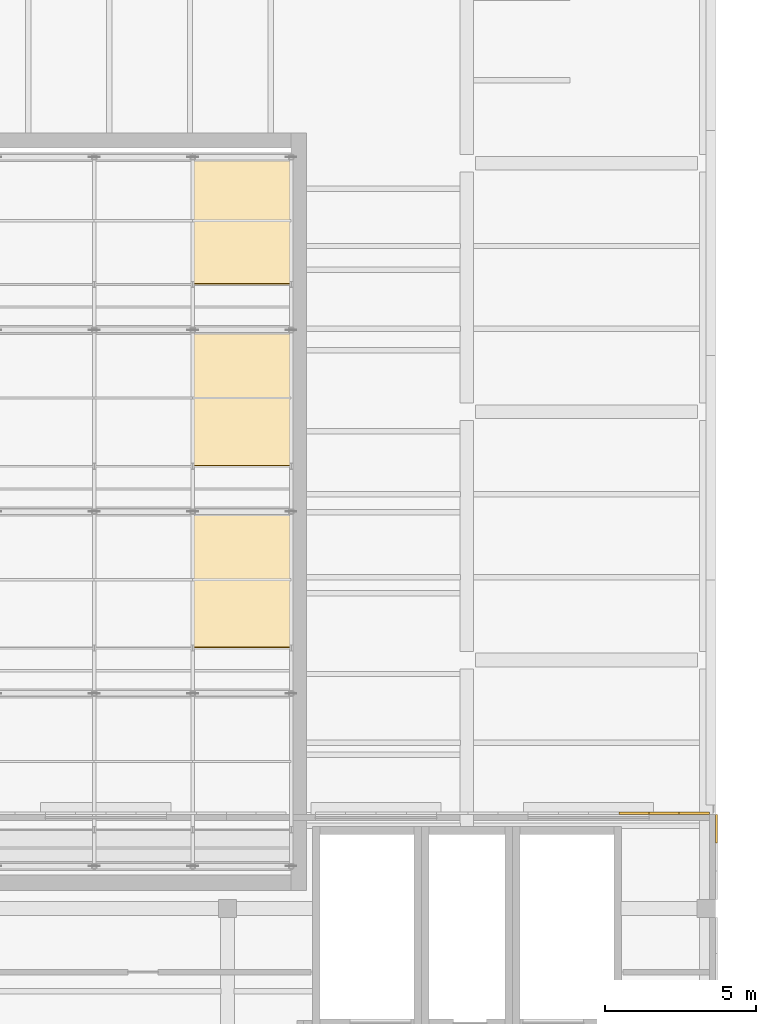
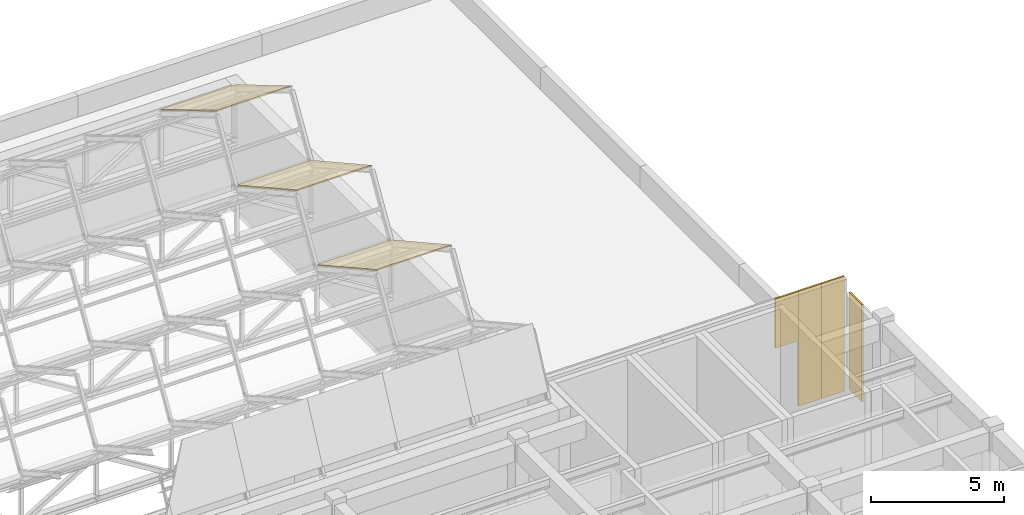
# One storey, part 131 of 132: 7 coverings.
"""IFC4 building model written with IfcOpenShell, lengths in metres."""

import ifcopenshell
import ifcopenshell.guid

model = None  # the IFC model being written
_history = None  # IfcOwnerHistory: only IFC2X3 demands one
_inside = {}  # id of a spatial element -> (the spatial element, [elements in it])
_under = {}  # id of a project, library or spatial element -> (it, [spatial elements below it])
_declared = {}  # id of a project -> (the project, [libraries it declares])
_typed = {}  # id of a type object -> (the type object, [elements of that type])
_made_of = {}  # id of a material, layer set ... -> (it, [elements and type objects made of it])


def new_model(schema):
    """Start an empty IFC model of exactly this schema.

    Asked for "IFC4X3", IfcOpenShell would pick the latest addendum, in which some entities
    have other attributes; the version numbers below select the first issue.
    IFC2X3 requires an IfcOwnerHistory on every rooted entity: one is made here for all.
    """
    global model, _history
    if schema == "IFC4X3":
        model = ifcopenshell.file(schema_version=(4, 3, 0, 0))
    else:
        model = ifcopenshell.file(schema=schema)
    _inside.clear()
    _under.clear()
    _declared.clear()
    _typed.clear()
    _made_of.clear()
    _history = None
    if model.schema == "IFC2X3":
        org = make("IfcOrganization", Name="unknown")
        user = make(
            "IfcPersonAndOrganization",
            ThePerson=make("IfcPerson", FamilyName="unknown"),
            TheOrganization=org,
        )
        app = make(
            "IfcApplication",
            ApplicationDeveloper=org,
            Version="unknown",
            ApplicationFullName="unknown",
            ApplicationIdentifier="unknown",
        )
        _history = make(
            "IfcOwnerHistory",
            OwningUser=user,
            OwningApplication=app,
            ChangeAction="ADDED",
            CreationDate=0,
        )
    return model


def make(cls, **values):
    """One entity of the class cls with the attributes given. An attribute that is None is left unset."""
    return model.create_entity(
        cls, **{name: value for name, value in values.items() if value is not None}
    )


def rooted(cls, **values):
    """An entity with a GlobalId (a new one), such as an element, a storey or a relation."""
    return make(cls, GlobalId=ifcopenshell.guid.new(), OwnerHistory=_history, **values)


def si_unit(unit_type, name, prefix=None):
    """IfcSIUnit, for example si_unit("LENGTHUNIT", "METRE", prefix="MILLI")."""
    return make("IfcSIUnit", UnitType=unit_type, Prefix=prefix, Name=name)


def assignment(units):
    """IfcUnitAssignment: the units of a project."""
    return None if units is None else make("IfcUnitAssignment", Units=units)


def point(xyz):
    """IfcCartesianPoint."""
    return None if xyz is None else make("IfcCartesianPoint", Coordinates=xyz)


def direction(xyz):
    """IfcDirection."""
    return None if xyz is None else make("IfcDirection", DirectionRatios=xyz)


def frame(location, z_axis=None, x_axis=None):
    """IfcAxis2Placement3D, a coordinate frame: its origin and axes. An axis left out is left unset."""
    return make(
        "IfcAxis2Placement3D",
        Location=point(location),
        Axis=direction(z_axis),
        RefDirection=direction(x_axis),
    )


def frame_2d(location, x_axis=None):
    """IfcAxis2Placement2D, a coordinate frame in the plane: its origin and x axis."""
    return make(
        "IfcAxis2Placement2D", Location=point(location), RefDirection=direction(x_axis)
    )


def origin():
    """The frame at (0, 0, 0) with its axes left unset."""
    return frame((0.0, 0.0, 0.0))


def origin_2d():
    """The frame at (0, 0) in the plane with its x axis left unset."""
    return frame_2d((0.0, 0.0))


def place(relative_to, where):
    """IfcLocalPlacement: puts the frame where relative to a parent placement (None: the world)."""
    return make(
        "IfcLocalPlacement", PlacementRelTo=relative_to, RelativePlacement=where
    )


def context(
    kind, dimensions, precision=None, world=None, true_north=None, identifier=None
):
    """IfcGeometricRepresentationContext, for example the 3D "Model" context."""
    return make(
        "IfcGeometricRepresentationContext",
        ContextIdentifier=identifier,
        ContextType=kind,
        CoordinateSpaceDimension=dimensions,
        Precision=precision,
        WorldCoordinateSystem=world,
        TrueNorth=true_north,
    )


def subcontext(parent, identifier, kind, view, scale=None):
    """IfcGeometricRepresentationSubContext, for example "Body" below "Model"."""
    return make(
        "IfcGeometricRepresentationSubContext",
        ContextIdentifier=identifier,
        ContextType=kind,
        ParentContext=parent,
        TargetScale=scale,
        TargetView=view,
    )


def project(units=None, contexts=None):
    """IfcProject with its units and contexts."""
    return rooted(
        "IfcProject",
        Name="project",
        RepresentationContexts=contexts,
        UnitsInContext=assignment(units),
    )


def spatial(cls, under=None, at=None, **own):
    """A site, building, storey or space (cls), placed at a placement, below another one or the project."""
    s = rooted(cls, ObjectPlacement=at, **own)
    if under is not None:
        _under.setdefault(under.id(), (under, []))[1].append(s)
    return s


def polyline(points):
    """IfcPolyline through the points."""
    return make("IfcPolyline", Points=[point(p) for p in points])


def profile(cls, at=None, kind="AREA", **sizes):
    """A parametric profile (cls). Its sizes go by their IFC names, for example OverallWidth=200.0."""
    return make(cls, ProfileType=kind, Position=at, **sizes)


def rectangle(**sizes):
    """IfcRectangleProfileDef."""
    return profile("IfcRectangleProfileDef", **sizes)


def outline(outer, holes=None, kind="AREA"):
    """IfcArbitraryClosedProfileDef: a profile drawn as a closed curve; with holes, ...WithVoids."""
    if holes is None:
        return make("IfcArbitraryClosedProfileDef", ProfileType=kind, OuterCurve=outer)
    return make(
        "IfcArbitraryProfileDefWithVoids",
        ProfileType=kind,
        OuterCurve=outer,
        InnerCurves=holes,
    )


def extrude(swept, where, along, depth):
    """IfcExtrudedAreaSolid: the profile swept, set in the frame where, extruded along a direction by depth."""
    return make(
        "IfcExtrudedAreaSolid",
        SweptArea=swept,
        Position=where,
        ExtrudedDirection=direction(along),
        Depth=depth,
    )


def shape(context_of_items, identifier, shape_type, items):
    """IfcShapeRepresentation: the items that make up one representation, for example the "Body"."""
    return make(
        "IfcShapeRepresentation",
        ContextOfItems=context_of_items,
        RepresentationIdentifier=identifier,
        RepresentationType=shape_type,
        Items=items,
    )


def material(Name=None, Category=None):
    """IfcMaterial."""
    return make("IfcMaterial", Name=Name, Category=Category)


def layer(
    of_material, thickness, ventilated=None, Name=None, Category=None, Priority=None
):
    """IfcMaterialLayer: one layer of a wall or slab, of a material (None: an air gap)."""
    return make(
        "IfcMaterialLayer",
        Material=of_material,
        LayerThickness=thickness,
        IsVentilated=ventilated,
        Name=Name,
        Category=Category,
        Priority=Priority,
    )


def layer_set(layers, Name=None):
    """IfcMaterialLayerSet."""
    return make("IfcMaterialLayerSet", MaterialLayers=layers, LayerSetName=Name)


def made_of(thing, what):
    """Note that an element or type object is made of a material, layer set ...; save() writes the relation."""
    if what is not None:
        _made_of.setdefault(what.id(), (what, []))[1].append(thing)
    return thing


def type_object(cls, material=None, **own):
    """A type object (cls), such as IfcWallType, which elements share."""
    return made_of(rooted(cls, **own), material)


def element(
    cls,
    number,
    at=None,
    inside=None,
    cuts=None,
    type_object=None,
    material=None,
    context=None,
    identifier="Body",
    shape_type=None,
    held_by="IfcProductDefinitionShape",
    body=None,
    shapes=None,
    **own,
):
    """One element of the class cls, such as IfcWall. Its Tag is "e" and its number.

    at: its placement. inside: the storey or other place that contains it. cuts: it is an
    opening in that element (IfcRelVoidsElement). A single representation is given by context,
    identifier, shape_type and body (its items); several are given by shapes. held_by: the class
    of the entity that holds the representations. save() writes the other relations.
    """
    e = rooted(cls, Tag="e%d" % number, ObjectPlacement=at, **own)
    if body is not None:
        shapes = [shape(context, identifier, shape_type, body)]
    if shapes is not None:
        e.Representation = make(held_by, Representations=shapes)
    if inside is not None:
        _inside.setdefault(inside.id(), (inside, []))[1].append(e)
    if cuts is not None:
        rooted(
            "IfcRelVoidsElement", RelatingBuildingElement=cuts, RelatedOpeningElement=e
        )
    if type_object is not None:
        _typed.setdefault(type_object.id(), (type_object, []))[1].append(e)
    return made_of(e, material)


def aggregate(whole, parts):
    """IfcRelAggregates: a whole, such as a stair, and the parts it consists of."""
    return rooted("IfcRelAggregates", RelatingObject=whole, RelatedObjects=parts)


def save(model, path):
    """Write the relations noted so far, then the file.

    IfcRelAggregates (storeys below a building ...), IfcRelContainedInSpatialStructure (elements
    in a storey), IfcRelDefinesByType, IfcRelAssociatesMaterial and IfcRelDeclares: one each for
    every whole, place, type object, material and project.
    """
    for whole, parts in _under.values():
        aggregate(whole, parts)
    for where, things in _inside.values():
        rooted(
            "IfcRelContainedInSpatialStructure",
            RelatedElements=things,
            RelatingStructure=where,
        )
    for kind, things in _typed.values():
        rooted("IfcRelDefinesByType", RelatedObjects=things, RelatingType=kind)
    for what, things in _made_of.values():
        rooted("IfcRelAssociatesMaterial", RelatedObjects=things, RelatingMaterial=what)
    for by, libraries in _declared.values():
        rooted("IfcRelDeclares", RelatingContext=by, RelatedDefinitions=libraries)
    model.write(path)


model = new_model("IFC4")

# Units and contexts
model_context = context("Model", 3, precision=1e-05, world=origin(), true_north=direction((0.0, 1.0)))
body_context = subcontext(model_context, "Body", "Model", "MODEL_VIEW")
ifc_project = project(units=[si_unit("LENGTHUNIT", "METRE"), si_unit("AREAUNIT", "SQUARE_METRE"), si_unit("VOLUMEUNIT", "CUBIC_METRE"), si_unit("PLANEANGLEUNIT", "RADIAN"), si_unit("MASSUNIT", "GRAM", prefix="KILO")], contexts=[model_context])

# Site, building, storey
site_placement = place(None, origin())
site = spatial("IfcSite", under=ifc_project, at=site_placement, CompositionType="ELEMENT")
building_placement = place(site_placement, origin())
building = spatial("IfcBuilding", under=site, at=building_placement, Name="Lunette Opera House", CompositionType="ELEMENT")
storey_placement = place(building_placement, frame((0.0, 0.0, 17.0)))
storey = spatial("IfcBuildingStorey", under=building, at=storey_placement, Name="L03", CompositionType="ELEMENT", Elevation=17.0)

# Coverings
ifc_material_1 = material(Name="Dark grey aluminium cassette", Category="aluminium")
ifc_layer_1 = layer(ifc_material_1, 0.080078125)
ifc_layer_set_1 = layer_set([ifc_layer_1], Name="Dark grey aluminium cassette")
covering_type_1 = type_object("IfcCoveringType", Name="DARK METAL CASSETTE 80", PredefinedType="CLADDING", material=ifc_layer_set_1)
for number, where, z_axis, x_axis, name in (
    (1, (183.303955078125, 106.0400390625, 0.0), (0.0, 0.0, 1.0), (-1.0, 0.0, 0.0), "Dark Metal Cassette 80 WK L03"),
    (2, (182.31298828125, 106.0400390625, 0.0), (0.0, 0.0, 1.0), (-1.0, 0.0, 0.0), "Dark Metal Cassette 80 WK L03"),
):
    element("IfcCovering", number, at=place(storey_placement, frame(where, z_axis=z_axis, x_axis=x_axis)), inside=storey, type_object=covering_type_1, Name=name, PredefinedType="CLADDING", context=body_context, shape_type="SweptSolid", body=[
        extrude(rectangle(XDim=0.991943359375, YDim=0.080078125, at=origin_2d()), origin(), (0.0, 0.0, 1.0), 5.25),
    ])
covering_1_placement = place(storey_placement, frame((181.31689453125, 106.0400390625, 3.0), z_axis=(0.0, 0.0, 1.0), x_axis=(-1.0, 0.0, 0.0)))
element("IfcCovering", 3, at=covering_1_placement, inside=storey, type_object=covering_type_1, Name="Dark Metal Cassette 80 WK L03", PredefinedType="CLADDING", context=body_context, shape_type="SweptSolid", body=[
    extrude(rectangle(XDim=1.0, YDim=0.080078125, at=origin_2d()), origin(), (0.0, 0.0, 1.0), 2.25),
])
covering_2_placement = place(storey_placement, frame((184.0400390625, 105.532958984375, 0.0), z_axis=(0.0, 0.0, 1.0), x_axis=(0.0, 1.0, 0.0)))
element("IfcCovering", 4, at=covering_2_placement, inside=storey, type_object=covering_type_1, Name="Dark Metal Cassette 80 WK L03", PredefinedType="CLADDING", context=body_context, shape_type="SweptSolid", body=[
    extrude(rectangle(XDim=0.93310546875, YDim=0.080078125, at=origin_2d()), origin(), (0.0, 0.0, 1.0), 4.449951171875),
])
ifc_material_2 = material(Name="Zinc standing seam roofing")
ifc_layer_2 = layer(ifc_material_2, 0.050048828125)
ifc_layer_set_2 = layer_set([ifc_layer_2], Name="Zinc standing seam roofing")
covering_type_2 = type_object("IfcCoveringType", Name="SAWTOOTH ROOFING 50", PredefinedType="ROOFING", material=ifc_layer_set_2)
for number, where, z_axis, x_axis, name in (
    (5, (166.75, 111.530029296875, 8.177978515625), (0.0, 0.485728053929, 0.874109980281), (1.0, 0.0, 0.0), "Sawtooth roofing 2R8"),
    (6, (166.75, 117.530029296875, 8.177978515625), (0.0, 0.485728053929, 0.874109980281), (1.0, 0.0, 0.0), "Sawtooth roofing 3R8"),
):
    element("IfcCovering", number, at=place(storey_placement, frame(where, z_axis=z_axis, x_axis=x_axis)), inside=storey, type_object=covering_type_2, Name=name, PredefinedType="ROOFING", context=body_context, shape_type="SweptSolid", body=[
        extrude(outline(polyline([(0.0, 0.0), (3.25, 0.0), (3.25, 5.113739465242481), (0.0, 5.113739465242481), (0.0, 0.0)])), origin(), (0.0, 0.0, -1.0), 0.050048828125),
    ])
covering_3_placement = place(storey_placement, frame((166.75, 123.530029296875, 8.179931640625), z_axis=(0.0, 0.511459093777, 0.859307625587), x_axis=(1.0, 0.0, 0.0)))
element("IfcCovering", 7, at=covering_3_placement, inside=storey, type_object=covering_type_2, Name="Sawtooth roofing 4R8", PredefinedType="ROOFING", context=body_context, shape_type="SweptSolid", body=[
    extrude(outline(polyline([(0.0, 0.0), (3.25, 0.0), (3.25, 4.8526531719656525), (0.0, 4.8526531719656525), (0.0, 0.0)])), origin(), (0.0, 0.0, -1.0), 0.050048828125),
])

save(model, "model.ifc")
